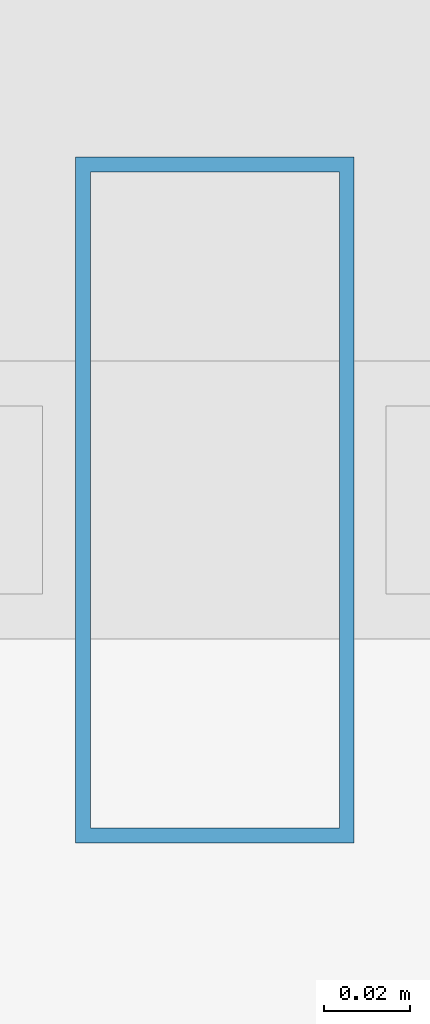
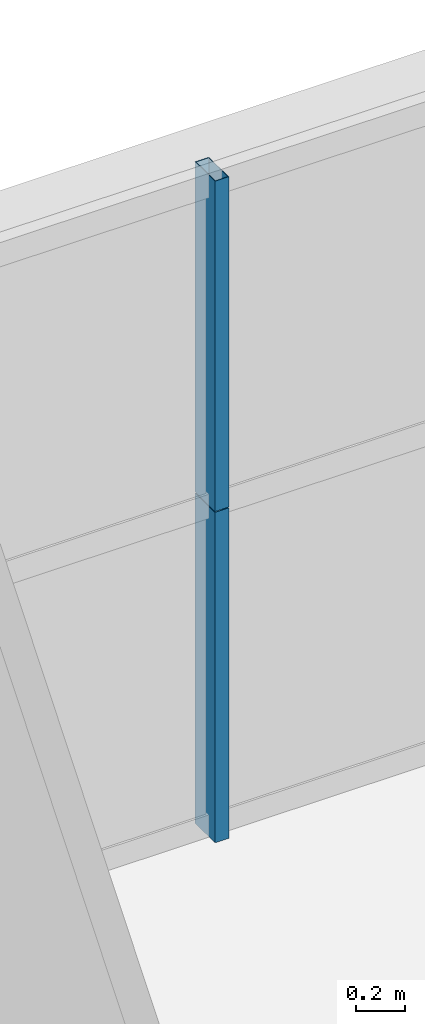
# One storey, part 27 of 38: 2 members, 1 element without a shape of its own.
"""IFC4 building model written with IfcOpenShell, lengths in metres."""

from ifc_helpers import new_model, si_unit, direction, frame, origin, origin_2d, place, context, subcontext, project, spatial, hollow_rectangle, extrude, source, transform, mapped, material, layer, layer_set, material_profile, profile_set, type_object, element, aggregate, save


model = new_model("IFC4")

# Units and contexts
model_context = context("Model", 3, precision=1e-05, world=origin(), true_north=direction((0.0, 1.0)))
body_context = subcontext(model_context, "Body", "Model", "MODEL_VIEW")
ifc_project = project(units=[si_unit("LENGTHUNIT", "METRE"), si_unit("AREAUNIT", "SQUARE_METRE"), si_unit("VOLUMEUNIT", "CUBIC_METRE"), si_unit("PLANEANGLEUNIT", "RADIAN"), si_unit("MASSUNIT", "GRAM", prefix="KILO"), si_unit("THERMODYNAMICTEMPERATUREUNIT", "KELVIN"), si_unit("POWERUNIT", "WATT")], contexts=[model_context])

# Site, building, storey
site_placement = place(None, origin())
site = spatial("IfcSite", under=ifc_project, at=site_placement, CompositionType="ELEMENT")
building_placement = place(site_placement, origin())
building = spatial("IfcBuilding", under=site, at=building_placement, Name="Yuzanri Waterfront Tower", CompositionType="ELEMENT")
storey_placement = place(building_placement, frame((0.0, 0.0, 195.0)))
storey = spatial("IfcBuildingStorey", under=building, at=storey_placement, Name="L51", CompositionType="ELEMENT", Elevation=195.0)

# Curtain wall, members
ifc_material_1 = material(Name="Anodized Architectural Bronze", Category="metal")
ifc_layer = layer(ifc_material_1, 0.159912109375)
ifc_layer_set = layer_set([ifc_layer], Name="Anodized Architectural Bronze")
curtain_wall_type = type_object("IfcCurtainWallType", Name="Anodized Bronze Mid-Rise Residential Acoustic Unitized Curtain Wall 7200", PredefinedType="NOTDEFINED", material=ifc_layer_set)
curtain_wall_placement = place(storey_placement, origin())
curtain_wall = element("IfcCurtainWall", 1, at=curtain_wall_placement, inside=storey, type_object=curtain_wall_type, Name="L51 Curtain Wall CW-L51-NL", PredefinedType="NOTDEFINED")
ifc_material_2 = material(Name="Anodized Architectural Bronze", Category="metal")
ifc_material_profile = material_profile(ifc_material_2, hollow_rectangle(XDim=0.06494140625, YDim=0.159912109375, WallThickness=0.00341796875, at=origin_2d()), Name="CWM 65x160")
ifc_profile_set = profile_set([ifc_material_profile], Name="Anodized Architectural Bronze")
member_type = type_object("IfcMemberType", Name="Anodized Bronze Upper-Zone Curtain-Wall Mullion 65x160", PredefinedType="MULLION", material=ifc_profile_set)
shared_shape = source(origin(), body_context, "Body", "SweptSolid", [
    extrude(hollow_rectangle(XDim=0.06494140625, YDim=0.159912109375, WallThickness=0.00341796875, at=origin_2d()), origin(), (0.0, 0.0, 1.0), 1.637939453125),
])
member_1_placement = place(storey_placement, frame((29.425048828125, 47.75, 0.0), z_axis=(0.0, 0.0, 1.0), x_axis=(1.0, 0.0, 0.0)))
member_1 = element("IfcMember", 2, at=member_1_placement, type_object=member_type, Name="CW-L51-NL Lower Mullion 01", PredefinedType="MULLION", context=body_context, shape_type="MappedRepresentation", body=[
    mapped(shared_shape, transform((0.0, 0.0, 0.0), scale=1.0)),
])
member_2_placement = place(storey_placement, frame((29.425048828125, 47.75, 1.64208984375), z_axis=(0.0, 0.0, 1.0), x_axis=(1.0, 0.0, 0.0)))
member_2 = element("IfcMember", 3, at=member_2_placement, type_object=member_type, Name="CW-L51-NL Upper Mullion 01", PredefinedType="MULLION", context=body_context, shape_type="MappedRepresentation", body=[
    mapped(shared_shape, transform((0.0, 0.0, 0.0), scale=1.0)),
])
aggregate(curtain_wall, [member_1, member_2])

save(model, "model.ifc")
